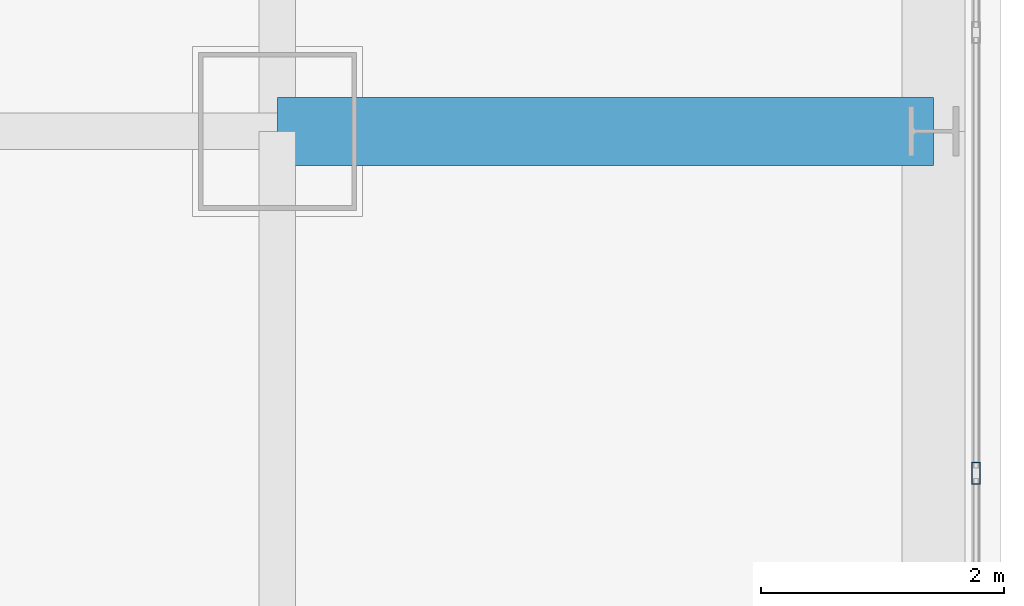
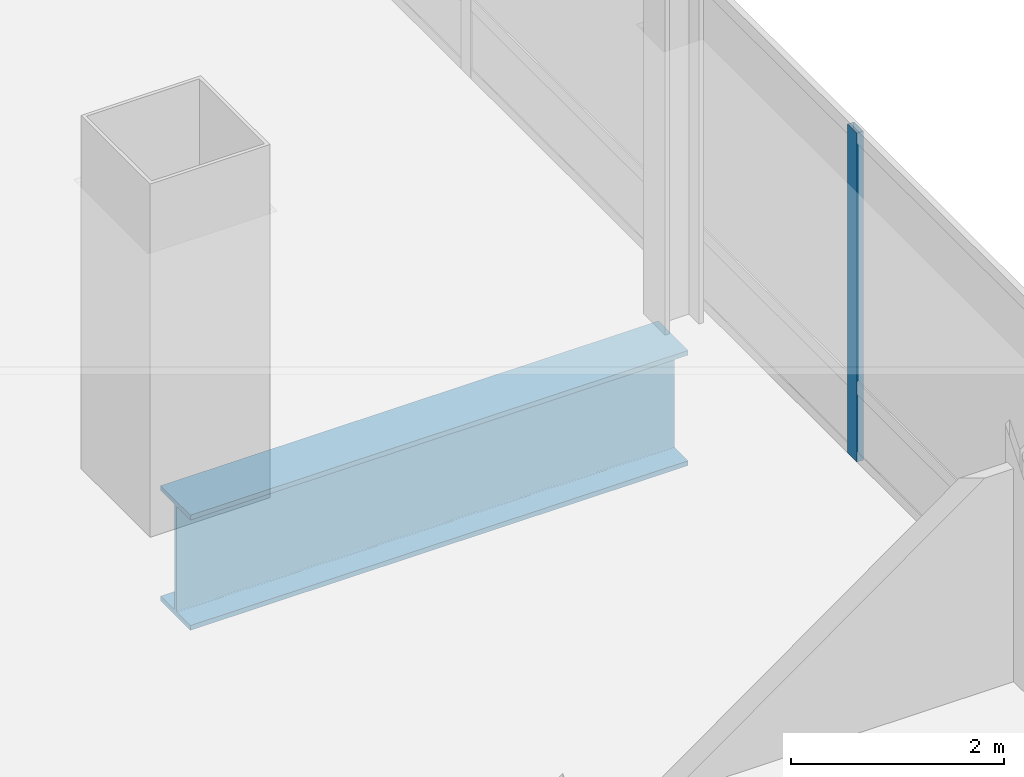
# One storey, part 18 of 51: 1 beam, 1 member, 1 element without a shape of its own.
"""IFC4 building model written with IfcOpenShell, lengths in metres."""

from ifc_helpers import new_model, si_unit, direction, frame, origin, origin_2d, place, context, subcontext, project, spatial, hollow_rectangle, i_section, extrude, material, material_profile, profile_set, type_object, element, aggregate, save


model = new_model("IFC4")

# Units and contexts
model_context = context("Model", 3, precision=1e-05, world=origin(), true_north=direction((0.0, 1.0)))
body_context = subcontext(model_context, "Body", "Model", "MODEL_VIEW")
ifc_project = project(units=[si_unit("LENGTHUNIT", "METRE"), si_unit("AREAUNIT", "SQUARE_METRE"), si_unit("VOLUMEUNIT", "CUBIC_METRE"), si_unit("PLANEANGLEUNIT", "RADIAN"), si_unit("MASSUNIT", "GRAM", prefix="KILO")], contexts=[model_context])

# Site, building, storey
site_placement = place(None, origin())
site = spatial("IfcSite", under=ifc_project, at=site_placement, CompositionType="ELEMENT")
building_placement = place(site_placement, origin())
building = spatial("IfcBuilding", under=site, at=building_placement, Name="Punatoya Terracotta Tower", CompositionType="ELEMENT")
storey_placement = place(building_placement, frame((0.0, 0.0, 279.75)))
storey = spatial("IfcBuildingStorey", under=building, at=storey_placement, Name="L66", CompositionType="ELEMENT", Elevation=279.75)

# Beam
ifc_material_1 = material(Name="Steel S460", Category="steel")
ifc_material_profile_1 = material_profile(ifc_material_1, i_section(OverallWidth=0.56005859375, OverallDepth=1.320068359375, WebThickness=0.035888671875, FlangeThickness=0.054931640625, FilletRadius=0.01806640625, at=origin_2d()))
ifc_profile_set_1 = profile_set([ifc_material_profile_1], Name="Steel S460")
beam_type = type_object("IfcBeamType", Name="BM-TG-BLK", PredefinedType="BEAM", material=ifc_profile_set_1)
beam_placement = place(storey_placement, frame((19.10009765625, 3.39990234375, -0.860107421875), z_axis=(1.0, 0.0, 0.0), x_axis=(0.0, 1.0, 0.0)))
element("IfcBeam", 1, at=beam_placement, inside=storey, type_object=beam_type, Name="BM-L66-CANT-E3", PredefinedType="BEAM", context=body_context, shape_type="SweptSolid", body=[
    extrude(i_section(OverallWidth=0.56005859375, OverallDepth=1.320068359375, WebThickness=0.035888671875, FlangeThickness=0.054931640625, FilletRadius=0.01806640625, at=origin_2d()), origin(), (0.0, 0.0, 1.0), 5.39990234375),
])

# Curtain wall, member
ifc_material_2 = material(Name="Aluminium 6063-T6 + Double Low-E Glass", Category="aluminium")
curtain_wall_type = type_object("IfcCurtainWallType", Name="CW-M3", PredefinedType="NOTDEFINED", material=ifc_material_2)
curtain_wall_placement = place(storey_placement, origin())
curtain_wall = element("IfcCurtainWall", 2, at=curtain_wall_placement, inside=storey, type_object=curtain_wall_type, Name="L66 Curtain Wall CW-L66-E05-1", PredefinedType="NOTDEFINED")
ifc_material_3 = material(Name="Aluminium 6063-T6", Category="aluminium")
ifc_material_profile_2 = material_profile(ifc_material_3, hollow_rectangle(XDim=0.070068359375, YDim=0.179931640625, WallThickness=0.00390625, at=origin_2d()))
ifc_profile_set_2 = profile_set([ifc_material_profile_2], Name="Aluminium 6063-T6")
member_type = type_object("IfcMemberType", Name="CW-MUL-M3", PredefinedType="MULLION", material=ifc_profile_set_2)
member_placement = place(storey_placement, frame((24.85009765625, 0.585693359375, 0.0), z_axis=(0.0, 0.0, 1.0), x_axis=(1.0, 0.0, 0.0)))
member = element("IfcMember", 3, at=member_placement, type_object=member_type, Name="CW-L66-E05-1 Mullion 03", PredefinedType="MULLION", context=body_context, shape_type="SweptSolid", body=[
    extrude(hollow_rectangle(XDim=0.070068359375, YDim=0.179931640625, WallThickness=0.00390625, at=origin_2d()), origin(), (0.0, 0.0, 1.0), 3.77001953125),
])
aggregate(curtain_wall, [member])

save(model, "model.ifc")
